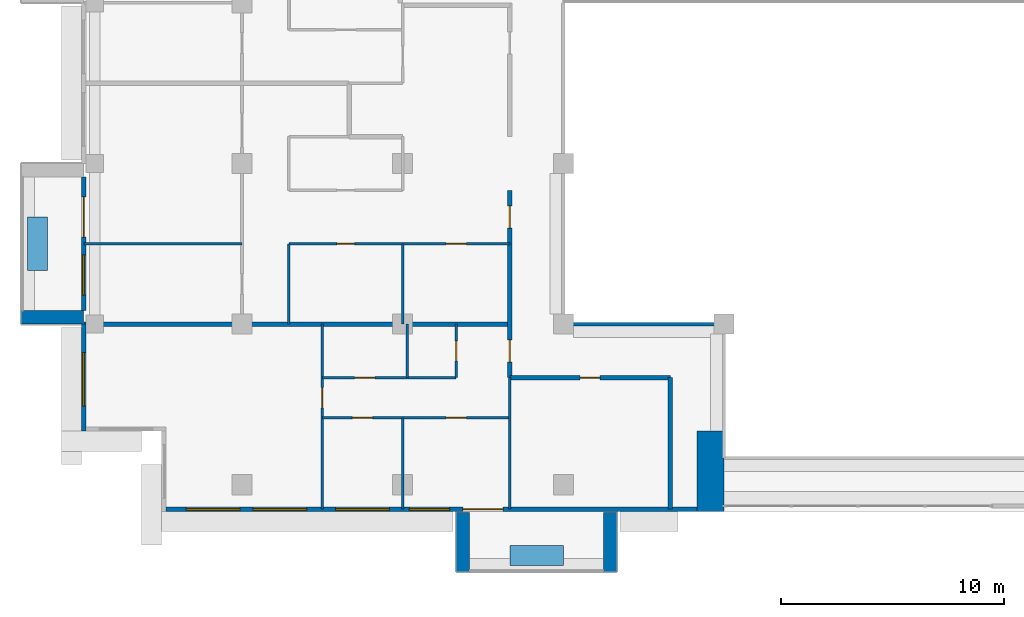
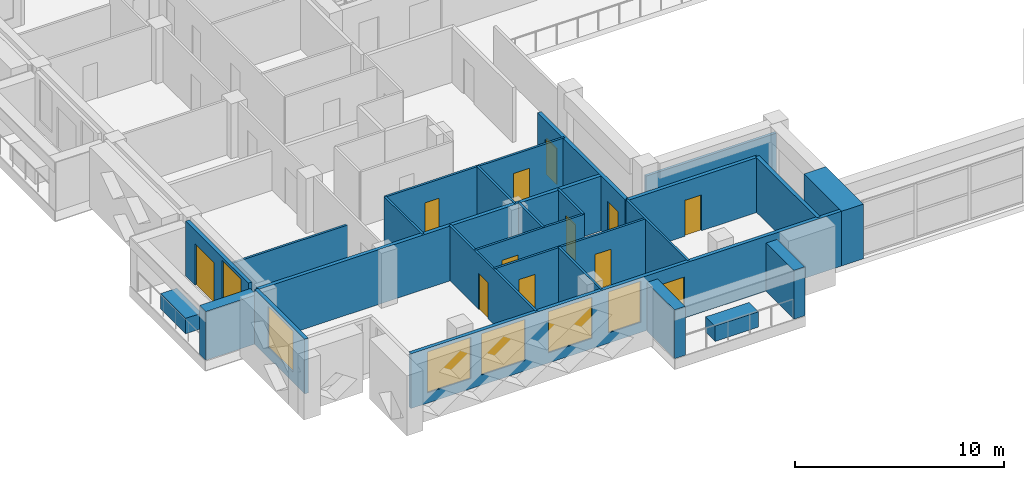
# One storey, part 6 of 20: 25 walls, 12 doors, 6 windows, 18 openings.
"""IFC4 building model written with IfcOpenShell, lengths in metres."""

from ifc_helpers import new_model, si_unit, direction, frame, frame_2d, origin, place, context, subcontext, project, spatial, rectangle, extrude, material, layer, layer_set, type_object, element, fill, save


model = new_model("IFC4")

# Units and contexts
model_context = context("Model", 3, precision=1e-05, world=origin(), true_north=direction((0.0, 1.0)))
body_context = subcontext(model_context, "Body", "Model", "MODEL_VIEW")
ifc_project = project(units=[si_unit("LENGTHUNIT", "METRE"), si_unit("AREAUNIT", "SQUARE_METRE"), si_unit("VOLUMEUNIT", "CUBIC_METRE"), si_unit("PLANEANGLEUNIT", "RADIAN"), si_unit("MASSUNIT", "GRAM", prefix="KILO")], contexts=[model_context])

# Site, building, storey
site_placement = place(None, origin())
site = spatial("IfcSite", under=ifc_project, at=site_placement, CompositionType="ELEMENT")
building_placement = place(site_placement, origin())
building = spatial("IfcBuilding", under=site, at=building_placement, Name="Saffron Iwan Residences", CompositionType="ELEMENT")
storey_placement = place(building_placement, frame((0.0, 0.0, 174.5)))
storey = spatial("IfcBuildingStorey", under=building, at=storey_placement, Name="L46", CompositionType="ELEMENT", Elevation=174.5)

# Walls
ifc_material_1 = material(Name="Fire-rated glazing", Category="glass")
ifc_layer_1 = layer(ifc_material_1, 0.14990234375)
ifc_layer_set_1 = layer_set([ifc_layer_1], Name="Fire-rated glazing")
wall_type_1 = type_object("IfcWallType", Name="Atrium glazed screen 150", PredefinedType="SOLIDWALL", material=ifc_layer_set_1)
wall_1_placement = place(storey_placement, frame((36.0, 48.0, 0.0), z_axis=(0.0, 0.0, 1.0), x_axis=(1.0, 0.0, 0.0)))
element("IfcWall", 1, at=wall_1_placement, inside=storey, type_object=wall_type_1, Name="W-L46-SCREEN-h48-36", PredefinedType="SOLIDWALL", context=body_context, shape_type="SweptSolid", body=[
    extrude(rectangle(XDim=7.199951171875, YDim=0.14990234375, at=frame_2d((3.60009765625, 0.0))), origin(), (0.0, 0.0, 1.0), 2.300048828125),
])
ifc_material_2 = material(Name="Concrete C50/60 white painted", Category="concrete")
ifc_layer_2 = layer(ifc_material_2, 0.60009765625)
ifc_layer_set_2 = layer_set([ifc_layer_2], Name="Concrete C50/60 white painted")
wall_type_2 = type_object("IfcWallType", Name="BALCONY FIN 600", PredefinedType="SOLIDWALL", material=ifc_layer_set_2)
wall_2_placement = place(storey_placement, frame((14.5, 48.300048828125, 0.0), z_axis=(0.0, 0.0, 1.0), x_axis=(-1.0, 0.0, 0.0)))
element("IfcWall", 2, at=wall_2_placement, inside=storey, type_object=wall_type_2, Name="Balcony fin L46 F8-1b", PredefinedType="SOLIDWALL", context=body_context, shape_type="SweptSolid", body=[
    extrude(rectangle(XDim=2.800048828125, YDim=0.60009765625, at=frame_2d((1.39990234375, 0.0))), origin(), (0.0, 0.0, 1.0), 2.85009765625),
])
for number, where, z_axis, x_axis, name in (
    (3, (31.5, 39.550048828125, 0.0), (0.0, 0.0, 1.0), (0.0, -1.0, 0.0), "Balcony fin L46 11-0a"),
    (4, (38.10009765625, 39.550048828125, 0.0), (0.0, 0.0, 1.0), (0.0, -1.0, 0.0), "Balcony fin L46 11-0b"),
):
    element("IfcWall", number, at=place(storey_placement, frame(where, z_axis=z_axis, x_axis=x_axis)), inside=storey, type_object=wall_type_2, Name=name, PredefinedType="SOLIDWALL", context=body_context, shape_type="SweptSolid", body=[
        extrude(rectangle(XDim=2.650146484375, YDim=0.60009765625, at=frame_2d((1.3251953125, 0.0))), origin(), (0.0, 0.0, 1.0), 2.85009765625),
    ])
ifc_material_3 = material(Name="Concrete C35/45 white painted", Category="concrete")
ifc_layer_3 = layer(ifc_material_3, 0.14990234375)
ifc_layer_set_3 = layer_set([ifc_layer_3], Name="Concrete C35/45 white painted")
wall_type_3 = type_object("IfcWallType", Name="BALCONY PLANTER", PredefinedType="SOLIDWALL", material=ifc_layer_set_3)
wall_3_placement = place(storey_placement, frame((12.425048828125, 52.800048828125, 0.0), z_axis=(0.0, 0.0, 1.0), x_axis=(0.0, -1.0, 0.0)))
element("IfcWall", 5, at=wall_3_placement, inside=storey, type_object=wall_type_3, Name="PLANTER L46 F8-1", PredefinedType="SOLIDWALL", context=body_context, shape_type="SweptSolid", body=[
    extrude(rectangle(XDim=2.400146484375, YDim=0.89990234375, at=frame_2d((1.2001953125, 0.0))), origin(), (0.0, 0.0, 1.0), 0.89990234375),
])
wall_4_placement = place(storey_placement, frame((33.60009765625, 37.625, 0.0), z_axis=(0.0, 0.0, 1.0), x_axis=(1.0, 0.0, 0.0)))
element("IfcWall", 6, at=wall_4_placement, inside=storey, type_object=wall_type_3, Name="PLANTER L46 11-0", PredefinedType="SOLIDWALL", context=body_context, shape_type="SweptSolid", body=[
    extrude(rectangle(XDim=2.39990234375, YDim=0.89990234375, at=frame_2d((1.199951171875, 0.0))), origin(), (0.0, 0.0, 1.0), 0.89990234375),
])

# Wall, openings, door, window
ifc_material_4 = material(Name="Concrete C40/50", Category="concrete")
ifc_layer_4 = layer(ifc_material_4, 0.199951171875)
ifc_layer_set_4 = layer_set([ifc_layer_4], Name="Concrete C40/50")
wall_type_4 = type_object("IfcWallType", Name="EXTERNAL WALL 200", PredefinedType="SOLIDWALL", material=ifc_layer_set_4)
wall_5_placement = place(storey_placement, frame((14.5, 54.60009765625, 0.0), z_axis=(0.0, 0.0, 1.0), x_axis=(0.0, -1.0, 0.0)))
wall_5 = element("IfcWall", 7, at=wall_5_placement, inside=storey, type_object=wall_type_4, Name="External wall L46 F8.3", PredefinedType="SOLIDWALL", context=body_context, shape_type="SweptSolid", body=[
    extrude(rectangle(XDim=6.0, YDim=0.199951171875, at=frame_2d((3.0, 0.0))), origin(), (0.0, 0.0, 1.0), 3.199951171875),
])
opening_1_placement = place(wall_5_placement, frame((0.89990234375, 0.0, 0.0)))
opening_1 = element("IfcOpeningElement", 8, at=opening_1_placement, cuts=wall_5, Name="Opening BD1", PredefinedType="OPENING", context=body_context, shape_type="SweptSolid", body=[
    extrude(rectangle(XDim=1.800048828125, YDim=2.39990234375, at=frame_2d((0.89990234375, 1.199951171875))), frame((0.0, 0.10986328125, 0.0), z_axis=(0.0, -1.0, 0.0), x_axis=(1.0, 0.0, 0.0)), (0.0, 0.0, 1.0), 0.219970703125),
])
opening_2_placement = place(wall_5_placement, frame((3.5, 0.0, 0.60009765625)))
opening_2 = element("IfcOpeningElement", 9, at=opening_2_placement, cuts=wall_5, Name="Opening W8", PredefinedType="OPENING", context=body_context, shape_type="SweptSolid", body=[
    extrude(rectangle(XDim=1.800048828125, YDim=2.39990234375, at=frame_2d((0.89990234375, 1.199951171875))), frame((0.0, 0.10986328125, 0.0), z_axis=(0.0, -1.0, 0.0), x_axis=(1.0, 0.0, 0.0)), (0.0, 0.0, 1.0), 0.219970703125),
])
ifc_material_5 = material(Name="Clear glass, laminated double glazed", Category="glass")
door_type_1 = type_object("IfcDoorType", Name="BALCONY DOOR 1800 x 2400", OperationType="DOUBLE_DOOR_SLIDING", PredefinedType="DOOR", material=ifc_material_5)
door_1_placement = place(opening_1_placement, origin())
door_1 = element("IfcDoor", 10, at=door_1_placement, inside=storey, type_object=door_type_1, Name="Balcony door L46 F8.0", OperationType="DOUBLE_DOOR_SLIDING", OverallHeight=2.39990234375, OverallWidth=1.800048828125, PredefinedType="DOOR", context=body_context, shape_type="SweptSolid", body=[
    extrude(rectangle(XDim=1.800048828125, YDim=2.39990234375, at=frame_2d((0.89990234375, 1.199951171875))), frame((0.0, 0.02490234375, 0.0), z_axis=(0.0, -1.0, 0.0), x_axis=(1.0, 0.0, 0.0)), (0.0, 0.0, 1.0), 0.050048828125),
])
fill(opening_1, door_1)
window_type_1 = type_object("IfcWindowType", Name="WINDOW 1800 x 2400", PartitioningType="DOUBLE_PANEL_VERTICAL", PredefinedType="WINDOW", material=ifc_material_5)
window_1_placement = place(opening_2_placement, origin())
window_1 = element("IfcWindow", 11, at=window_1_placement, inside=storey, type_object=window_type_1, Name="Window L46 F8.1", OverallHeight=2.39990234375, OverallWidth=1.800048828125, PartitioningType="DOUBLE_PANEL_VERTICAL", PredefinedType="WINDOW", context=body_context, shape_type="SweptSolid", body=[
    extrude(rectangle(XDim=1.800048828125, YDim=2.39990234375, at=frame_2d((0.89990234375, 1.199951171875))), frame((0.0, 0.030029296875, 0.0), z_axis=(0.0, -1.0, 0.0), x_axis=(1.0, 0.0, 0.0)), (0.0, 0.0, 1.0), 0.06005859375),
])
fill(opening_2, window_1)

# Wall, opening, window
wall_6_placement = place(storey_placement, frame((14.5, 48.0, 0.0), z_axis=(0.0, 0.0, 1.0), x_axis=(0.0, -1.0, 0.0)))
wall_6 = element("IfcWall", 12, at=wall_6_placement, inside=storey, type_object=wall_type_4, Name="External wall L46 F8.4", PredefinedType="SOLIDWALL", context=body_context, shape_type="SweptSolid", body=[
    extrude(rectangle(XDim=4.800048828125, YDim=0.199951171875, at=frame_2d((2.39990234375, 0.0))), origin(), (0.0, 0.0, 1.0), 3.199951171875),
])
opening_3_placement = place(wall_6_placement, frame((1.27490234375, 0.0, 0.60009765625)))
opening_3 = element("IfcOpeningElement", 13, at=opening_3_placement, cuts=wall_6, Name="Opening W1", PredefinedType="OPENING", context=body_context, shape_type="SweptSolid", body=[
    extrude(rectangle(XDim=2.39990234375, YDim=2.39990234375, at=frame_2d((1.199951171875, 1.199951171875))), frame((0.0, 0.10986328125, 0.0), z_axis=(0.0, -1.0, 0.0), x_axis=(1.0, 0.0, 0.0)), (0.0, 0.0, 1.0), 0.219970703125),
])
window_type_2 = type_object("IfcWindowType", Name="WINDOW 2400 x 2400", PartitioningType="DOUBLE_PANEL_VERTICAL", PredefinedType="WINDOW", material=ifc_material_5)
window_2_placement = place(opening_3_placement, origin())
window_2 = element("IfcWindow", 14, at=window_2_placement, inside=storey, type_object=window_type_2, Name="Window L46 F8.0", OverallHeight=2.39990234375, OverallWidth=2.39990234375, PartitioningType="DOUBLE_PANEL_VERTICAL", PredefinedType="WINDOW", context=body_context, shape_type="SweptSolid", body=[
    extrude(rectangle(XDim=2.39990234375, YDim=2.39990234375, at=frame_2d((1.199951171875, 1.199951171875))), frame((0.0, 0.030029296875, 0.0), z_axis=(0.0, -1.0, 0.0), x_axis=(1.0, 0.0, 0.0)), (0.0, 0.0, 1.0), 0.06005859375),
])
fill(opening_3, window_2)

# Wall, openings, door, windows
wall_7_placement = place(storey_placement, frame((18.199951171875, 39.699951171875, 0.0), z_axis=(0.0, 0.0, 1.0), x_axis=(1.0, 0.0, 0.0)))
wall_7 = element("IfcWall", 15, at=wall_7_placement, inside=storey, type_object=wall_type_4, Name="External wall L46 F11.0", PredefinedType="SOLIDWALL", context=body_context, shape_type="SweptSolid", body=[
    extrude(rectangle(XDim=23.800048828125, YDim=0.199951171875, at=frame_2d((11.89990234375, 0.0))), origin(), (0.0, 0.0, 1.0), 3.199951171875),
])
opening_4_placement = place(wall_7_placement, frame((13.300048828125, 0.0, 0.0)))
opening_4 = element("IfcOpeningElement", 16, at=opening_4_placement, cuts=wall_7, Name="Opening BD1", PredefinedType="OPENING", context=body_context, shape_type="SweptSolid", body=[
    extrude(rectangle(XDim=1.800048828125, YDim=2.39990234375, at=frame_2d((0.89990234375, 1.199951171875))), frame((0.0, 0.10986328125, 0.0), z_axis=(0.0, -1.0, 0.0), x_axis=(1.0, 0.0, 0.0)), (0.0, 0.0, 1.0), 0.219970703125),
])
opening_5_placement = place(wall_7_placement, frame((0.89990234375, 0.0, 0.60009765625)))
opening_5 = element("IfcOpeningElement", 17, at=opening_5_placement, cuts=wall_7, Name="Opening W1", PredefinedType="OPENING", context=body_context, shape_type="SweptSolid", body=[
    extrude(rectangle(XDim=2.39990234375, YDim=2.39990234375, at=frame_2d((1.199951171875, 1.199951171875))), frame((0.0, 0.10986328125, 0.0), z_axis=(0.0, -1.0, 0.0), x_axis=(1.0, 0.0, 0.0)), (0.0, 0.0, 1.0), 0.219970703125),
])
opening_6_placement = place(wall_7_placement, frame((3.89990234375, 0.0, 0.60009765625)))
opening_6 = element("IfcOpeningElement", 18, at=opening_6_placement, cuts=wall_7, Name="Opening W1", PredefinedType="OPENING", context=body_context, shape_type="SweptSolid", body=[
    extrude(rectangle(XDim=2.39990234375, YDim=2.39990234375, at=frame_2d((1.199951171875, 1.199951171875))), frame((0.0, 0.10986328125, 0.0), z_axis=(0.0, -1.0, 0.0), x_axis=(1.0, 0.0, 0.0)), (0.0, 0.0, 1.0), 0.219970703125),
])
opening_7_placement = place(wall_7_placement, frame((7.60009765625, 0.0, 0.60009765625)))
opening_7 = element("IfcOpeningElement", 19, at=opening_7_placement, cuts=wall_7, Name="Opening W1", PredefinedType="OPENING", context=body_context, shape_type="SweptSolid", body=[
    extrude(rectangle(XDim=2.39990234375, YDim=2.39990234375, at=frame_2d((1.199951171875, 1.199951171875))), frame((0.0, 0.10986328125, 0.0), z_axis=(0.0, -1.0, 0.0), x_axis=(1.0, 0.0, 0.0)), (0.0, 0.0, 1.0), 0.219970703125),
])
opening_8_placement = place(wall_7_placement, frame((10.89990234375, 0.0, 0.60009765625)))
opening_8 = element("IfcOpeningElement", 20, at=opening_8_placement, cuts=wall_7, Name="Opening W8", PredefinedType="OPENING", context=body_context, shape_type="SweptSolid", body=[
    extrude(rectangle(XDim=1.800048828125, YDim=2.39990234375, at=frame_2d((0.89990234375, 1.199951171875))), frame((0.0, 0.10986328125, 0.0), z_axis=(0.0, -1.0, 0.0), x_axis=(1.0, 0.0, 0.0)), (0.0, 0.0, 1.0), 0.219970703125),
])
door_2_placement = place(opening_4_placement, origin())
door_2 = element("IfcDoor", 21, at=door_2_placement, inside=storey, type_object=door_type_1, Name="Balcony door L46 F11.0", OperationType="DOUBLE_DOOR_SLIDING", OverallHeight=2.39990234375, OverallWidth=1.800048828125, PredefinedType="DOOR", context=body_context, shape_type="SweptSolid", body=[
    extrude(rectangle(XDim=1.800048828125, YDim=2.39990234375, at=frame_2d((0.89990234375, 1.199951171875))), frame((0.0, 0.02490234375, 0.0), z_axis=(0.0, -1.0, 0.0), x_axis=(1.0, 0.0, 0.0)), (0.0, 0.0, 1.0), 0.050048828125),
])
fill(opening_4, door_2)
window_3_placement = place(opening_8_placement, origin())
window_3 = element("IfcWindow", 22, at=window_3_placement, inside=storey, type_object=window_type_1, Name="Window L46 F11.4", OverallHeight=2.39990234375, OverallWidth=1.800048828125, PartitioningType="DOUBLE_PANEL_VERTICAL", PredefinedType="WINDOW", context=body_context, shape_type="SweptSolid", body=[
    extrude(rectangle(XDim=1.800048828125, YDim=2.39990234375, at=frame_2d((0.89990234375, 1.199951171875))), frame((0.0, 0.030029296875, 0.0), z_axis=(0.0, -1.0, 0.0), x_axis=(1.0, 0.0, 0.0)), (0.0, 0.0, 1.0), 0.06005859375),
])
fill(opening_8, window_3)
window_4_placement = place(opening_5_placement, origin())
window_4 = element("IfcWindow", 23, at=window_4_placement, inside=storey, type_object=window_type_2, Name="Window L46 F11.1", OverallHeight=2.39990234375, OverallWidth=2.39990234375, PartitioningType="DOUBLE_PANEL_VERTICAL", PredefinedType="WINDOW", context=body_context, shape_type="SweptSolid", body=[
    extrude(rectangle(XDim=2.39990234375, YDim=2.39990234375, at=frame_2d((1.199951171875, 1.199951171875))), frame((0.0, 0.030029296875, 0.0), z_axis=(0.0, -1.0, 0.0), x_axis=(1.0, 0.0, 0.0)), (0.0, 0.0, 1.0), 0.06005859375),
])
fill(opening_5, window_4)
window_5_placement = place(opening_6_placement, origin())
window_5 = element("IfcWindow", 24, at=window_5_placement, inside=storey, type_object=window_type_2, Name="Window L46 F11.2", OverallHeight=2.39990234375, OverallWidth=2.39990234375, PartitioningType="DOUBLE_PANEL_VERTICAL", PredefinedType="WINDOW", context=body_context, shape_type="SweptSolid", body=[
    extrude(rectangle(XDim=2.39990234375, YDim=2.39990234375, at=frame_2d((1.199951171875, 1.199951171875))), frame((0.0, 0.030029296875, 0.0), z_axis=(0.0, -1.0, 0.0), x_axis=(1.0, 0.0, 0.0)), (0.0, 0.0, 1.0), 0.06005859375),
])
fill(opening_6, window_5)
window_6_placement = place(opening_7_placement, origin())
window_6 = element("IfcWindow", 25, at=window_6_placement, inside=storey, type_object=window_type_2, Name="Window L46 F11.3", OverallHeight=2.39990234375, OverallWidth=2.39990234375, PartitioningType="DOUBLE_PANEL_VERTICAL", PredefinedType="WINDOW", context=body_context, shape_type="SweptSolid", body=[
    extrude(rectangle(XDim=2.39990234375, YDim=2.39990234375, at=frame_2d((1.199951171875, 1.199951171875))), frame((0.0, 0.030029296875, 0.0), z_axis=(0.0, -1.0, 0.0), x_axis=(1.0, 0.0, 0.0)), (0.0, 0.0, 1.0), 0.06005859375),
])
fill(opening_7, window_6)

# Wall
ifc_material_6 = material(Name="Fire-rated gypsum board wall")
ifc_layer_5 = layer(ifc_material_6, 0.199951171875)
ifc_layer_set_5 = layer_set([ifc_layer_5], Name="Fire-rated gypsum board wall")
wall_type_5 = type_object("IfcWallType", Name="Flat demising wall 200", PredefinedType="SOLIDWALL", material=ifc_layer_set_5)
wall_8_placement = place(storey_placement, frame((14.52490234375, 48.0, 0.0), z_axis=(0.0, 0.0, 1.0), x_axis=(1.0, 0.0, 0.0)))
element("IfcWall", 26, at=wall_8_placement, inside=storey, type_object=wall_type_5, Name="W-L46-DEMISE-h48-14.525", PredefinedType="SOLIDWALL", context=body_context, shape_type="SweptSolid", body=[
    extrude(rectangle(XDim=19.0751953125, YDim=0.199951171875, at=frame_2d((9.53759765625, 0.0))), origin(), (0.0, 0.0, 1.0), 3.199951171875),
])

# Wall, openings, doors
ifc_material_7 = material(Name="Gypsum board partition")
ifc_layer_6 = layer(ifc_material_7, 0.1201171875)
ifc_layer_set_6 = layer_set([ifc_layer_6], Name="Gypsum board partition")
wall_type_6 = type_object("IfcWallType", Name="Flat partition 120", PredefinedType="PARTITIONING", material=ifc_layer_set_6)
wall_9_placement = place(storey_placement, frame((25.199951171875, 43.800048828125, 0.0), z_axis=(0.0, 0.0, 1.0), x_axis=(1.0, 0.0, 0.0)))
wall_9 = element("IfcWall", 27, at=wall_9_placement, inside=storey, type_object=wall_type_6, Name="W-L46-PART-h43.8-25.2", PredefinedType="PARTITIONING", context=body_context, shape_type="SweptSolid", body=[
    extrude(rectangle(XDim=8.400146484375, YDim=0.1201171875, at=frame_2d((4.2001953125, 0.0))), origin(), (0.0, 0.0, 1.0), 3.199951171875),
])
opening_9_placement = place(wall_9_placement, frame((1.35009765625, 0.0, 0.0)))
opening_9 = element("IfcOpeningElement", 28, at=opening_9_placement, cuts=wall_9, Name="Opening FD2", PredefinedType="OPENING", context=body_context, shape_type="SweptSolid", body=[
    extrude(rectangle(XDim=0.89990234375, YDim=2.10009765625, at=frame_2d((0.449951171875, 1.050048828125))), frame((0.0, 0.070068359375, 0.0), z_axis=(0.0, -1.0, 0.0), x_axis=(1.0, 0.0, 0.0)), (0.0, 0.0, 1.0), 0.14013671875),
])
opening_10_placement = place(wall_9_placement, frame((5.550048828125, 0.0, 0.0)))
opening_10 = element("IfcOpeningElement", 29, at=opening_10_placement, cuts=wall_9, Name="Opening FD2", PredefinedType="OPENING", context=body_context, shape_type="SweptSolid", body=[
    extrude(rectangle(XDim=0.89990234375, YDim=2.10009765625, at=frame_2d((0.449951171875, 1.050048828125))), frame((0.0, 0.070068359375, 0.0), z_axis=(0.0, -1.0, 0.0), x_axis=(1.0, 0.0, 0.0)), (0.0, 0.0, 1.0), 0.14013671875),
])
ifc_material_8 = material(Name="Timber door", Category="wood")
door_type_2 = type_object("IfcDoorType", Name="Flat door 900", OperationType="NOTDEFINED", PredefinedType="DOOR", material=ifc_material_8)
door_3_placement = place(opening_9_placement, origin())
door_3 = element("IfcDoor", 30, at=door_3_placement, inside=storey, type_object=door_type_2, Name="Door L46-003", OperationType="SINGLE_SWING_RIGHT", OverallHeight=2.10009765625, OverallWidth=0.89990234375, PredefinedType="DOOR", context=body_context, shape_type="SweptSolid", body=[
    extrude(rectangle(XDim=0.89990234375, YDim=2.10009765625, at=frame_2d((0.449951171875, 1.050048828125))), frame((0.0, 0.02490234375, 0.0), z_axis=(0.0, -1.0, 0.0), x_axis=(1.0, 0.0, 0.0)), (0.0, 0.0, 1.0), 0.050048828125),
])
fill(opening_9, door_3)
door_4_placement = place(opening_10_placement, origin())
door_4 = element("IfcDoor", 31, at=door_4_placement, inside=storey, type_object=door_type_2, Name="Door L46-004", OperationType="SINGLE_SWING_LEFT", OverallHeight=2.10009765625, OverallWidth=0.89990234375, PredefinedType="DOOR", context=body_context, shape_type="SweptSolid", body=[
    extrude(rectangle(XDim=0.89990234375, YDim=2.10009765625, at=frame_2d((0.449951171875, 1.050048828125))), frame((0.0, 0.02490234375, 0.0), z_axis=(0.0, -1.0, 0.0), x_axis=(1.0, 0.0, 0.0)), (0.0, 0.0, 1.0), 0.050048828125),
])
fill(opening_10, door_4)

# Wall, opening, door
wall_10_placement = place(storey_placement, frame((25.199951171875, 45.60009765625, 0.0), z_axis=(0.0, 0.0, 1.0), x_axis=(1.0, 0.0, 0.0)))
wall_10 = element("IfcWall", 32, at=wall_10_placement, inside=storey, type_object=wall_type_6, Name="W-L46-PART-h45.6-25.2", PredefinedType="PARTITIONING", context=body_context, shape_type="SweptSolid", body=[
    extrude(rectangle(XDim=6.0, YDim=0.1201171875, at=frame_2d((3.0, 0.0))), origin(), (0.0, 0.0, 1.0), 3.199951171875),
])
opening_11_placement = place(wall_10_placement, frame((1.449951171875, 0.0, 0.0)))
opening_11 = element("IfcOpeningElement", 33, at=opening_11_placement, cuts=wall_10, Name="Opening FD2", PredefinedType="OPENING", context=body_context, shape_type="SweptSolid", body=[
    extrude(rectangle(XDim=0.89990234375, YDim=2.10009765625, at=frame_2d((0.449951171875, 1.050048828125))), frame((0.0, 0.070068359375, 0.0), z_axis=(0.0, -1.0, 0.0), x_axis=(1.0, 0.0, 0.0)), (0.0, 0.0, 1.0), 0.14013671875),
])
door_5_placement = place(opening_11_placement, origin())
door_5 = element("IfcDoor", 34, at=door_5_placement, inside=storey, type_object=door_type_2, Name="Door L46-005", OperationType="SINGLE_SWING_LEFT", OverallHeight=2.10009765625, OverallWidth=0.89990234375, PredefinedType="DOOR", context=body_context, shape_type="SweptSolid", body=[
    extrude(rectangle(XDim=0.89990234375, YDim=2.10009765625, at=frame_2d((0.449951171875, 1.050048828125))), frame((0.0, 0.02490234375, 0.0), z_axis=(0.0, -1.0, 0.0), x_axis=(1.0, 0.0, 0.0)), (0.0, 0.0, 1.0), 0.050048828125),
])
fill(opening_11, door_5)

# Wall
wall_11_placement = place(storey_placement, frame((14.52490234375, 51.60009765625, 0.0), z_axis=(0.0, 0.0, 1.0), x_axis=(1.0, 0.0, 0.0)))
element("IfcWall", 35, at=wall_11_placement, inside=storey, type_object=wall_type_6, Name="W-L46-PART-h51.6-14.525", PredefinedType="PARTITIONING", context=body_context, shape_type="SweptSolid", body=[
    extrude(rectangle(XDim=7.0751953125, YDim=0.1201171875, at=frame_2d((3.53759765625, 0.0))), origin(), (0.0, 0.0, 1.0), 2.300048828125),
])

# Wall, openings, doors
wall_12_placement = place(storey_placement, frame((23.699951171875, 51.60009765625, 0.0), z_axis=(0.0, 0.0, 1.0), x_axis=(1.0, 0.0, 0.0)))
wall_12 = element("IfcWall", 36, at=wall_12_placement, inside=storey, type_object=wall_type_6, Name="W-L46-PART-h51.6-23.7", PredefinedType="PARTITIONING", context=body_context, shape_type="SweptSolid", body=[
    extrude(rectangle(XDim=9.900146484375, YDim=0.1201171875, at=frame_2d((4.9501953125, 0.0))), origin(), (0.0, 0.0, 1.0), 3.199951171875),
])
opening_12_placement = place(wall_12_placement, frame((2.14990234375, 0.0, 0.0)))
opening_12 = element("IfcOpeningElement", 37, at=opening_12_placement, cuts=wall_12, Name="Opening FD3", PredefinedType="OPENING", context=body_context, shape_type="SweptSolid", body=[
    extrude(rectangle(XDim=0.800048828125, YDim=2.10009765625, at=frame_2d((0.39990234375, 1.050048828125))), frame((0.0, 0.070068359375, 0.0), z_axis=(0.0, -1.0, 0.0), x_axis=(1.0, 0.0, 0.0)), (0.0, 0.0, 1.0), 0.14013671875),
])
opening_13_placement = place(wall_12_placement, frame((7.050048828125, 0.0, 0.0)))
opening_13 = element("IfcOpeningElement", 38, at=opening_13_placement, cuts=wall_12, Name="Opening FD2", PredefinedType="OPENING", context=body_context, shape_type="SweptSolid", body=[
    extrude(rectangle(XDim=0.89990234375, YDim=2.10009765625, at=frame_2d((0.449951171875, 1.050048828125))), frame((0.0, 0.070068359375, 0.0), z_axis=(0.0, -1.0, 0.0), x_axis=(1.0, 0.0, 0.0)), (0.0, 0.0, 1.0), 0.14013671875),
])
door_type_3 = type_object("IfcDoorType", Name="Bathroom door 800", OperationType="NOTDEFINED", PredefinedType="DOOR", material=ifc_material_8)
door_6_placement = place(opening_12_placement, origin())
door_6 = element("IfcDoor", 39, at=door_6_placement, inside=storey, type_object=door_type_3, Name="Door L46-011", OperationType="SINGLE_SWING_LEFT", OverallHeight=2.10009765625, OverallWidth=0.800048828125, PredefinedType="DOOR", context=body_context, shape_type="SweptSolid", body=[
    extrude(rectangle(XDim=0.800048828125, YDim=2.10009765625, at=frame_2d((0.39990234375, 1.050048828125))), frame((0.0, 0.02490234375, 0.0), z_axis=(0.0, -1.0, 0.0), x_axis=(1.0, 0.0, 0.0)), (0.0, 0.0, 1.0), 0.050048828125),
])
fill(opening_12, door_6)
door_7_placement = place(opening_13_placement, origin())
door_7 = element("IfcDoor", 40, at=door_7_placement, inside=storey, type_object=door_type_2, Name="Door L46-013", OperationType="SINGLE_SWING_LEFT", OverallHeight=2.10009765625, OverallWidth=0.89990234375, PredefinedType="DOOR", context=body_context, shape_type="SweptSolid", body=[
    extrude(rectangle(XDim=0.89990234375, YDim=2.10009765625, at=frame_2d((0.449951171875, 1.050048828125))), frame((0.0, 0.02490234375, 0.0), z_axis=(0.0, -1.0, 0.0), x_axis=(1.0, 0.0, 0.0)), (0.0, 0.0, 1.0), 0.050048828125),
])
fill(opening_13, door_7)

# Wall
wall_13_placement = place(storey_placement, frame((23.699951171875, 48.0, 0.0), z_axis=(0.0, 0.0, 1.0), x_axis=(0.0, 1.0, 0.0)))
element("IfcWall", 41, at=wall_13_placement, inside=storey, type_object=wall_type_6, Name="W-L46-PART-v23.7-48", PredefinedType="PARTITIONING", context=body_context, shape_type="SweptSolid", body=[
    extrude(rectangle(XDim=3.60009765625, YDim=0.1201171875, at=frame_2d((1.800048828125, 0.0))), origin(), (0.0, 0.0, 1.0), 3.199951171875),
])

# Wall, opening, door
wall_14_placement = place(storey_placement, frame((25.199951171875, 39.72509765625, 0.0), z_axis=(0.0, 0.0, 1.0), x_axis=(0.0, 1.0, 0.0)))
wall_14 = element("IfcWall", 42, at=wall_14_placement, inside=storey, type_object=wall_type_6, Name="W-L46-PART-v25.2-39.725", PredefinedType="PARTITIONING", context=body_context, shape_type="SweptSolid", body=[
    extrude(rectangle(XDim=8.27490234375, YDim=0.1201171875, at=frame_2d((4.137451171875, 0.0))), origin(), (0.0, 0.0, 1.0), 3.199951171875),
])
opening_14_placement = place(wall_14_placement, frame((4.52490234375, 0.0, 0.0)))
opening_14 = element("IfcOpeningElement", 43, at=opening_14_placement, cuts=wall_14, Name="Opening FD2", PredefinedType="OPENING", context=body_context, shape_type="SweptSolid", body=[
    extrude(rectangle(XDim=0.89990234375, YDim=2.10009765625, at=frame_2d((0.449951171875, 1.050048828125))), frame((0.0, 0.070068359375, 0.0), z_axis=(0.0, -1.0, 0.0), x_axis=(1.0, 0.0, 0.0)), (0.0, 0.0, 1.0), 0.14013671875),
])
door_8_placement = place(opening_14_placement, origin())
door_8 = element("IfcDoor", 44, at=door_8_placement, inside=storey, type_object=door_type_2, Name="Door L46-002", OperationType="SINGLE_SWING_LEFT", OverallHeight=2.10009765625, OverallWidth=0.89990234375, PredefinedType="DOOR", context=body_context, shape_type="SweptSolid", body=[
    extrude(rectangle(XDim=0.89990234375, YDim=2.10009765625, at=frame_2d((0.449951171875, 1.050048828125))), frame((0.0, 0.02490234375, 0.0), z_axis=(0.0, -1.0, 0.0), x_axis=(1.0, 0.0, 0.0)), (0.0, 0.0, 1.0), 0.050048828125),
])
fill(opening_14, door_8)

# Walls
wall_15_placement = place(storey_placement, frame((28.800048828125, 39.72509765625, 0.0), z_axis=(0.0, 0.0, 1.0), x_axis=(0.0, 1.0, 0.0)))
element("IfcWall", 45, at=wall_15_placement, inside=storey, type_object=wall_type_6, Name="W-L46-PART-v28.8-39.725", PredefinedType="PARTITIONING", context=body_context, shape_type="SweptSolid", body=[
    extrude(rectangle(XDim=4.074951171875, YDim=0.1201171875, at=frame_2d((2.03759765625, 0.0))), origin(), (0.0, 0.0, 1.0), 3.199951171875),
])
wall_16_placement = place(storey_placement, frame((28.800048828125, 48.0, 0.0), z_axis=(0.0, 0.0, 1.0), x_axis=(0.0, 1.0, 0.0)))
element("IfcWall", 46, at=wall_16_placement, inside=storey, type_object=wall_type_6, Name="W-L46-PART-v28.8-48", PredefinedType="PARTITIONING", context=body_context, shape_type="SweptSolid", body=[
    extrude(rectangle(XDim=3.60009765625, YDim=0.1201171875, at=frame_2d((1.800048828125, 0.0))), origin(), (0.0, 0.0, 1.0), 3.199951171875),
])
wall_17_placement = place(storey_placement, frame((29.0, 45.60009765625, 0.0), z_axis=(0.0, 0.0, 1.0), x_axis=(0.0, 1.0, 0.0)))
element("IfcWall", 47, at=wall_17_placement, inside=storey, type_object=wall_type_6, Name="W-L46-PART-v29-45.6", PredefinedType="PARTITIONING", context=body_context, shape_type="SweptSolid", body=[
    extrude(rectangle(XDim=2.39990234375, YDim=0.1201171875, at=frame_2d((1.199951171875, 0.0))), origin(), (0.0, 0.0, 1.0), 3.199951171875),
])

# Wall, opening, door
wall_18_placement = place(storey_placement, frame((31.199951171875, 45.60009765625, 0.0), z_axis=(0.0, 0.0, 1.0), x_axis=(0.0, 1.0, 0.0)))
wall_18 = element("IfcWall", 48, at=wall_18_placement, inside=storey, type_object=wall_type_6, Name="W-L46-PART-v31.2-45.6", PredefinedType="PARTITIONING", context=body_context, shape_type="SweptSolid", body=[
    extrude(rectangle(XDim=2.39990234375, YDim=0.1201171875, at=frame_2d((1.199951171875, 0.0))), origin(), (0.0, 0.0, 1.0), 3.199951171875),
])
opening_15_placement = place(wall_18_placement, frame((0.75, 0.0, 0.0)))
opening_15 = element("IfcOpeningElement", 49, at=opening_15_placement, cuts=wall_18, Name="Opening FD2", PredefinedType="OPENING", context=body_context, shape_type="SweptSolid", body=[
    extrude(rectangle(XDim=0.89990234375, YDim=2.10009765625, at=frame_2d((0.449951171875, 1.050048828125))), frame((0.0, 0.070068359375, 0.0), z_axis=(0.0, -1.0, 0.0), x_axis=(1.0, 0.0, 0.0)), (0.0, 0.0, 1.0), 0.14013671875),
])
door_9_placement = place(opening_15_placement, origin())
door_9 = element("IfcDoor", 50, at=door_9_placement, inside=storey, type_object=door_type_2, Name="Door L46-006", OperationType="SINGLE_SWING_RIGHT", OverallHeight=2.10009765625, OverallWidth=0.89990234375, PredefinedType="DOOR", context=body_context, shape_type="SweptSolid", body=[
    extrude(rectangle(XDim=0.89990234375, YDim=2.10009765625, at=frame_2d((0.449951171875, 1.050048828125))), frame((0.0, 0.02490234375, 0.0), z_axis=(0.0, -1.0, 0.0), x_axis=(1.0, 0.0, 0.0)), (0.0, 0.0, 1.0), 0.050048828125),
])
fill(opening_15, door_9)

# Wall
wall_19_placement = place(storey_placement, frame((33.60009765625, 39.72509765625, 0.0), z_axis=(0.0, 0.0, 1.0), x_axis=(0.0, 1.0, 0.0)))
element("IfcWall", 51, at=wall_19_placement, inside=storey, type_object=wall_type_6, Name="W-L46-PART-v33.6-39.725", PredefinedType="PARTITIONING", context=body_context, shape_type="SweptSolid", body=[
    extrude(rectangle(XDim=5.875, YDim=0.1201171875, at=frame_2d((2.9375, 0.0))), origin(), (0.0, 0.0, 1.0), 3.199951171875),
])

# Wall, opening, door
ifc_layer_7 = layer(ifc_material_6, 0.199951171875)
ifc_layer_set_7 = layer_set([ifc_layer_7], Name="Fire-rated gypsum board wall")
wall_type_7 = type_object("IfcWallType", Name="Gallery wall 200", PredefinedType="SOLIDWALL", material=ifc_layer_set_7)
wall_20_placement = place(storey_placement, frame((33.60009765625, 45.60009765625, 0.0), z_axis=(0.0, 0.0, 1.0), x_axis=(1.0, 0.0, 0.0)))
wall_20 = element("IfcWall", 52, at=wall_20_placement, inside=storey, type_object=wall_type_7, Name="W-L46-CORR-h45.6-33.6", PredefinedType="SOLIDWALL", context=body_context, shape_type="SweptSolid", body=[
    extrude(rectangle(XDim=7.199951171875, YDim=0.199951171875, at=frame_2d((3.60009765625, 0.0))), origin(), (0.0, 0.0, 1.0), 3.199951171875),
])
opening_16_placement = place(wall_20_placement, frame((3.14990234375, 0.0, 0.0)))
opening_16 = element("IfcOpeningElement", 53, at=opening_16_placement, cuts=wall_20, Name="Opening FD2", PredefinedType="OPENING", context=body_context, shape_type="SweptSolid", body=[
    extrude(rectangle(XDim=0.89990234375, YDim=2.10009765625, at=frame_2d((0.449951171875, 1.050048828125))), frame((0.0, 0.10986328125, 0.0), z_axis=(0.0, -1.0, 0.0), x_axis=(1.0, 0.0, 0.0)), (0.0, 0.0, 1.0), 0.219970703125),
])
door_10_placement = place(opening_16_placement, origin())
door_10 = element("IfcDoor", 54, at=door_10_placement, inside=storey, type_object=door_type_2, Name="Door L46-007", OperationType="SINGLE_SWING_LEFT", OverallHeight=2.10009765625, OverallWidth=0.89990234375, PredefinedType="DOOR", context=body_context, shape_type="SweptSolid", body=[
    extrude(rectangle(XDim=0.89990234375, YDim=2.10009765625, at=frame_2d((0.449951171875, 1.050048828125))), frame((0.0, 0.02490234375, 0.0), z_axis=(0.0, -1.0, 0.0), x_axis=(1.0, 0.0, 0.0)), (0.0, 0.0, 1.0), 0.050048828125),
])
fill(opening_16, door_10)

# Wall, openings, doors
wall_21_placement = place(storey_placement, frame((33.60009765625, 45.60009765625, 0.0), z_axis=(0.0, 0.0, 1.0), x_axis=(0.0, 1.0, 0.0)))
wall_21 = element("IfcWall", 55, at=wall_21_placement, inside=storey, type_object=wall_type_7, Name="W-L46-CORR-v33.6-45.6", PredefinedType="SOLIDWALL", context=body_context, shape_type="SweptSolid", body=[
    extrude(rectangle(XDim=8.39990234375, YDim=0.199951171875, at=frame_2d((4.199951171875, 0.0))), origin(), (0.0, 0.0, 1.0), 3.199951171875),
])
opening_17_placement = place(wall_21_placement, frame((0.699951171875, 0.0, 0.0)))
opening_17 = element("IfcOpeningElement", 56, at=opening_17_placement, cuts=wall_21, Name="Opening FD1", PredefinedType="OPENING", context=body_context, shape_type="SweptSolid", body=[
    extrude(rectangle(XDim=1.0, YDim=2.10009765625, at=frame_2d((0.5, 1.050048828125))), frame((0.0, 0.10986328125, 0.0), z_axis=(0.0, -1.0, 0.0), x_axis=(1.0, 0.0, 0.0)), (0.0, 0.0, 1.0), 0.219970703125),
])
opening_18_placement = place(wall_21_placement, frame((6.699951171875, 0.0, 0.0)))
opening_18 = element("IfcOpeningElement", 57, at=opening_18_placement, cuts=wall_21, Name="Opening FD1", PredefinedType="OPENING", context=body_context, shape_type="SweptSolid", body=[
    extrude(rectangle(XDim=1.0, YDim=2.10009765625, at=frame_2d((0.5, 1.050048828125))), frame((0.0, 0.10986328125, 0.0), z_axis=(0.0, -1.0, 0.0), x_axis=(1.0, 0.0, 0.0)), (0.0, 0.0, 1.0), 0.219970703125),
])
ifc_material_9 = material(Name="Fire-rated timber door", Category="wood")
door_type_4 = type_object("IfcDoorType", Name="FD30S flat entrance door 1000", OperationType="NOTDEFINED", PredefinedType="DOOR", material=ifc_material_9)
door_11_placement = place(opening_17_placement, origin())
door_11 = element("IfcDoor", 58, at=door_11_placement, inside=storey, type_object=door_type_4, Name="Door L46-001", OperationType="SINGLE_SWING_LEFT", OverallHeight=2.10009765625, OverallWidth=1.0, PredefinedType="DOOR", context=body_context, shape_type="SweptSolid", body=[
    extrude(rectangle(XDim=1.0, YDim=2.10009765625, at=frame_2d((0.5, 1.050048828125))), frame((0.0, 0.02490234375, 0.0), z_axis=(0.0, -1.0, 0.0), x_axis=(1.0, 0.0, 0.0)), (0.0, 0.0, 1.0), 0.050048828125),
])
fill(opening_17, door_11)
door_12_placement = place(opening_18_placement, origin())
door_12 = element("IfcDoor", 59, at=door_12_placement, inside=storey, type_object=door_type_4, Name="Door L46-008", OperationType="SINGLE_SWING_LEFT", OverallHeight=2.10009765625, OverallWidth=1.0, PredefinedType="DOOR", context=body_context, shape_type="SweptSolid", body=[
    extrude(rectangle(XDim=1.0, YDim=2.10009765625, at=frame_2d((0.5, 1.050048828125))), frame((0.0, 0.02490234375, 0.0), z_axis=(0.0, -1.0, 0.0), x_axis=(1.0, 0.0, 0.0)), (0.0, 0.0, 1.0), 0.050048828125),
])
fill(opening_18, door_12)

# Walls
wall_22_placement = place(storey_placement, frame((40.800048828125, 39.72509765625, 0.0), z_axis=(0.0, 0.0, 1.0), x_axis=(0.0, 1.0, 0.0)))
element("IfcWall", 60, at=wall_22_placement, inside=storey, type_object=wall_type_7, Name="W-L46-CORR-v40.8-39.725", PredefinedType="SOLIDWALL", context=body_context, shape_type="SweptSolid", body=[
    extrude(rectangle(XDim=5.875, YDim=0.199951171875, at=frame_2d((2.9375, 0.0))), origin(), (0.0, 0.0, 1.0), 3.199951171875),
])
ifc_material_10 = material(Name="Concrete C50/60", Category="concrete")
ifc_layer_8 = layer(ifc_material_10, 1.199951171875)
ifc_layer_set_8 = layer_set([ifc_layer_8], Name="Concrete C50/60")
wall_type_8 = type_object("IfcWallType", Name="WALL IWAN PIER 1200 C50/60 3200 HIGH", PredefinedType="SHEAR", material=ifc_layer_set_8)
wall_23_placement = place(storey_placement, frame((42.60009765625, 39.60009765625, 0.0), z_axis=(0.0, 0.0, 1.0), x_axis=(0.0, 1.0, 0.0)))
element("IfcWall", 61, at=wall_23_placement, inside=storey, type_object=wall_type_8, Name="IWAN PIER", PredefinedType="SHEAR", context=body_context, shape_type="SweptSolid", body=[
    extrude(rectangle(XDim=3.599853515625, YDim=1.199951171875, at=frame_2d((1.7998046875, 0.0))), origin(), (0.0, 0.0, 1.0), 3.199951171875),
])

save(model, "model.ifc")
